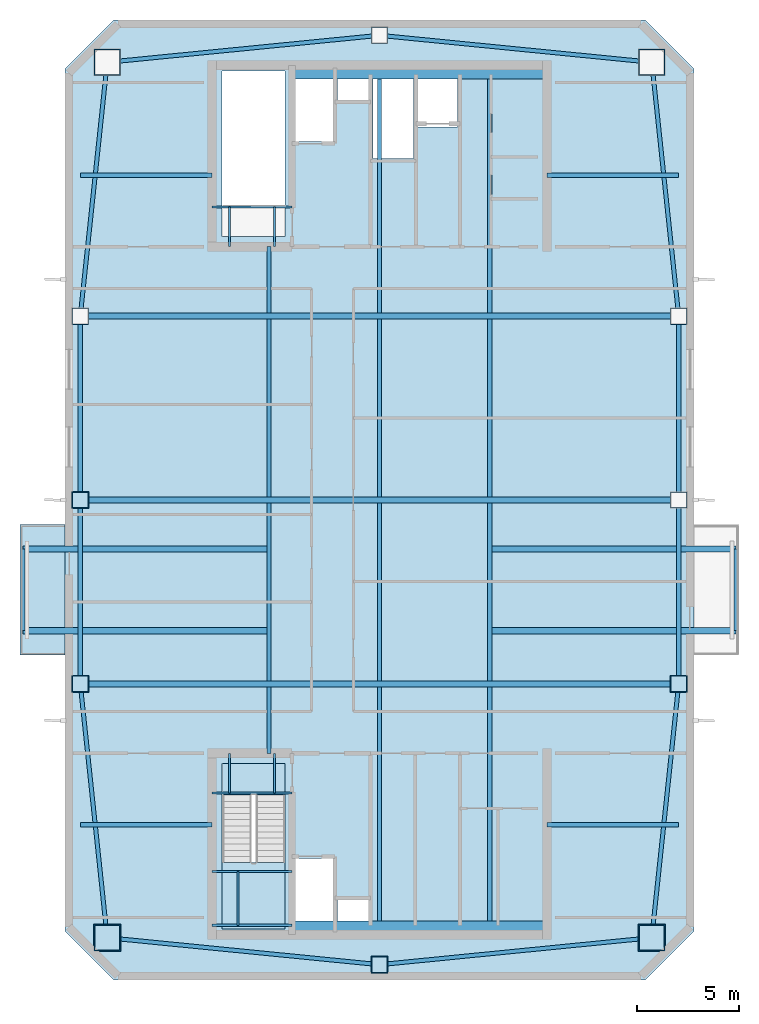
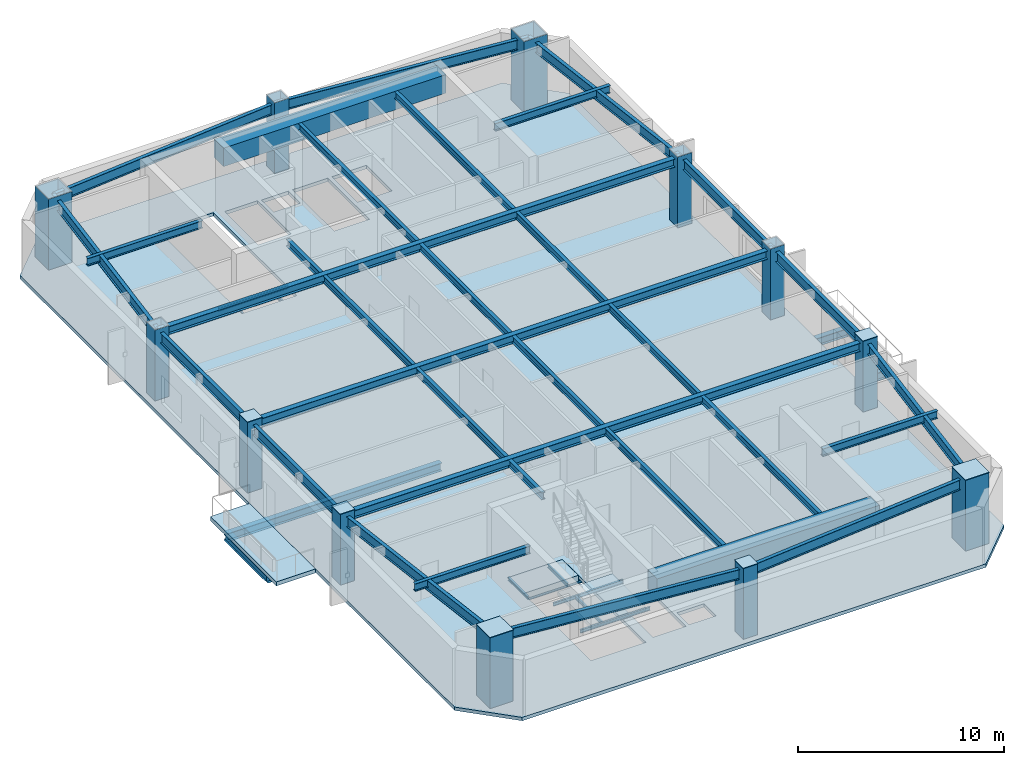
# One storey, part 1 of 6: 48 beams, 12 columns, 6 plates, 4 slabs, 1 element without a shape of its own.
"""IFC4 building model written with IfcOpenShell, lengths in metres."""

from ifc_helpers import new_model, si_unit, direction, frame, origin, origin_2d, place, context, subcontext, project, spatial, polyline, rectangle, hollow_rectangle, i_section, outline, extrude, material, layer, layer_set, material_profile, profile_set, type_object, element, aggregate, save


model = new_model("IFC4")

# Units and contexts
model_context = context("Model", 3, precision=1e-05, world=origin(), true_north=direction((0.0, 1.0)))
body_context = subcontext(model_context, "Body", "Model", "MODEL_VIEW")
ifc_project = project(units=[si_unit("LENGTHUNIT", "METRE"), si_unit("AREAUNIT", "SQUARE_METRE"), si_unit("VOLUMEUNIT", "CUBIC_METRE"), si_unit("PLANEANGLEUNIT", "RADIAN"), si_unit("MASSUNIT", "GRAM", prefix="KILO")], contexts=[model_context])

# Site, building, storey
site_placement = place(None, origin())
site = spatial("IfcSite", under=ifc_project, at=site_placement, CompositionType="ELEMENT")
building_placement = place(site_placement, origin())
building = spatial("IfcBuilding", under=site, at=building_placement, Name="Qiaolan Cultural Towers", CompositionType="ELEMENT")
storey_placement = place(building_placement, frame((0.0, 0.0, 276.0)))
storey = spatial("IfcBuildingStorey", under=building, at=storey_placement, Name="L76", CompositionType="ELEMENT", Elevation=276.0)

# Columns
ifc_material_1 = material(Name="Steel Q390GJB", Category="steel")
ifc_material_profile_1 = material_profile(ifc_material_1, hollow_rectangle(XDim=1.300048828125, YDim=1.300048828125, WallThickness=0.044921875, at=origin_2d()), Name="BOX1300x1300x45")
ifc_profile_set_1 = profile_set([ifc_material_profile_1], Name="Steel Q390GJB")
column_type_1 = type_object("IfcColumnType", Name="COL-BOX1300x1300x45", PredefinedType="COLUMN", material=ifc_profile_set_1)
for number, where, z_axis, x_axis, name in (
    (1, (16.669921875, 12.570068359375, 0.0), (0.0, 0.0, 1.0), (1.0, 0.0, 0.0), "L76 T1 Perimeter Column MC-SW"),
    (2, (43.330078125, 12.570068359375, 0.0), (0.0, 0.0, 1.0), (1.0, 0.0, 0.0), "L76 T1 Perimeter Column MC-SE"),
    (3, (43.330078125, 55.429931640625, 0.0), (0.0, 0.0, 1.0), (1.0, 0.0, 0.0), "L76 T1 Perimeter Column MC-NE"),
    (4, (16.669921875, 55.429931640625, 0.0), (0.0, 0.0, 1.0), (1.0, 0.0, 0.0), "L76 T1 Perimeter Column MC-NW"),
):
    element("IfcColumn", number, at=place(storey_placement, frame(where, z_axis=z_axis, x_axis=x_axis)), inside=storey, type_object=column_type_1, Name=name, PredefinedType="COLUMN", context=body_context, shape_type="SweptSolid", body=[
        extrude(hollow_rectangle(XDim=1.300048828125, YDim=1.300048828125, WallThickness=0.044921875, at=origin_2d()), origin(), (0.0, 0.0, 1.0), 4.200927734375),
    ])
ifc_material_2 = material(Name="Steel Q355B", Category="steel")
ifc_material_profile_2 = material_profile(ifc_material_2, hollow_rectangle(XDim=0.800048828125, YDim=0.800048828125, WallThickness=0.028076171875, at=origin_2d()), Name="BOX800x800x28")
ifc_profile_set_2 = profile_set([ifc_material_profile_2], Name="Steel Q355B")
column_type_2 = type_object("IfcColumnType", Name="COL-BOX800x800x28", PredefinedType="COLUMN", material=ifc_profile_set_2)
for number, where, z_axis, x_axis, name in (
    (5, (15.35009765625, 25.0, 0.0), (0.0, 0.0, 1.0), (1.0, 0.0, 0.0), "L76 T1 Perimeter Column PC-W1"),
    (6, (15.35009765625, 34.0, 0.0), (0.0, 0.0, 1.0), (1.0, 0.0, 0.0), "L76 T1 Perimeter Column PC-W2"),
    (7, (15.35009765625, 43.0, 0.0), (0.0, 0.0, 1.0), (1.0, 0.0, 0.0), "L76 T1 Perimeter Column PC-W3"),
    (8, (44.64990234375, 25.0, 0.0), (0.0, 0.0, 1.0), (1.0, 0.0, 0.0), "L76 T1 Perimeter Column PC-E1"),
    (9, (44.64990234375, 34.0, 0.0), (0.0, 0.0, 1.0), (1.0, 0.0, 0.0), "L76 T1 Perimeter Column PC-E2"),
    (10, (44.64990234375, 43.0, 0.0), (0.0, 0.0, 1.0), (1.0, 0.0, 0.0), "L76 T1 Perimeter Column PC-E3"),
    (11, (30.0, 11.25, 0.0), (0.0, 0.0, 1.0), (1.0, 0.0, 0.0), "L76 T1 Perimeter Column PC-S0"),
    (12, (30.0, 56.75, 0.0), (0.0, 0.0, 1.0), (1.0, 0.0, 0.0), "L76 T1 Perimeter Column PC-N0"),
):
    element("IfcColumn", number, at=place(storey_placement, frame(where, z_axis=z_axis, x_axis=x_axis)), inside=storey, type_object=column_type_2, Name=name, PredefinedType="COLUMN", context=body_context, shape_type="SweptSolid", body=[
        extrude(hollow_rectangle(XDim=0.800048828125, YDim=0.800048828125, WallThickness=0.028076171875, at=origin_2d()), origin(), (0.0, 0.0, 1.0), 4.200927734375),
    ])

# Beams
ifc_material_3 = material(Name="Steel Q355B", Category="steel")
ifc_material_profile_3 = material_profile(ifc_material_3, i_section(OverallWidth=0.300048828125, OverallDepth=0.488037109375, WebThickness=0.010986328125, FlangeThickness=0.01806640625, at=origin_2d()), Name="HM488x300x11x18")
ifc_profile_set_3 = profile_set([ifc_material_profile_3], Name="Steel Q355B")
beam_type_1 = type_object("IfcBeamType", Name="BM-HM488x300x11x18", PredefinedType="BEAM", material=ifc_profile_set_3)
for number, where, z_axis, x_axis, name in (
    (13, (24.60009765625, 27.60009765625, -0.52392578125), (-1.0, 0.0, 0.0), (0.0, -1.0, 0.0), "L76 T1 Tree Balcony Back-Spanned Bracket Beam"),
    (14, (24.60009765625, 31.60009765625, -0.52392578125), (-1.0, 0.0, 0.0), (0.0, -1.0, 0.0), "L76 T1 Tree Balcony Back-Spanned Bracket Beam"),
    (15, (35.39990234375, 27.60009765625, -0.52392578125), (1.0, 0.0, 0.0), (0.0, 1.0, 0.0), "L76 T1 Tree Balcony Back-Spanned Bracket Beam"),
    (16, (35.39990234375, 31.60009765625, -0.52392578125), (1.0, 0.0, 0.0), (0.0, 1.0, 0.0), "L76 T1 Tree Balcony Back-Spanned Bracket Beam"),
):
    element("IfcBeam", number, at=place(storey_placement, frame(where, z_axis=z_axis, x_axis=x_axis)), inside=storey, type_object=beam_type_1, Name=name, PredefinedType="BEAM", context=body_context, shape_type="SweptSolid", body=[
        extrude(i_section(OverallWidth=0.300048828125, OverallDepth=0.488037109375, WebThickness=0.010986328125, FlangeThickness=0.01806640625, at=origin_2d()), origin(), (0.0, 0.0, 1.0), 12.050048828125),
    ])
for number, where, z_axis, x_axis, name in (
    (17, (15.35009765625, 25.0, 3.696044921875), (1.0, 0.0, 0.0), (0.0, 1.0, 0.0), "L76 T1 Primary Transverse Girder V1"),
    (18, (15.35009765625, 34.0, 3.696044921875), (1.0, 0.0, 0.0), (0.0, 1.0, 0.0), "L76 T1 Primary Transverse Girder V2"),
    (19, (15.35009765625, 43.0, 3.696044921875), (1.0, 0.0, 0.0), (0.0, 1.0, 0.0), "L76 T1 Primary Transverse Girder V3"),
):
    element("IfcBeam", number, at=place(storey_placement, frame(where, z_axis=z_axis, x_axis=x_axis)), inside=storey, type_object=beam_type_1, Name=name, PredefinedType="BEAM", context=body_context, shape_type="SweptSolid", body=[
        extrude(i_section(OverallWidth=0.300048828125, OverallDepth=0.488037109375, WebThickness=0.010986328125, FlangeThickness=0.01806640625, at=origin_2d()), origin(), (0.0, 0.0, 1.0), 29.2998046875),
    ])
ifc_material_4 = material(Name="Steel Q355B", Category="steel")
ifc_material_profile_4 = material_profile(ifc_material_4, i_section(OverallWidth=0.175048828125, OverallDepth=0.35009765625, WebThickness=0.007080078125, FlangeThickness=0.010986328125, at=origin_2d()), Name="HN350x175x7x11")
ifc_profile_set_4 = profile_set([ifc_material_profile_4], Name="Steel Q355B")
beam_type_2 = type_object("IfcBeamType", Name="BM-JST-HN350x175x7x11", PredefinedType="JOIST", material=ifc_profile_set_4)
for number, where, z_axis, x_axis, name in (
    (20, (12.550048828125, 27.60009765625, -0.52392578125), (0.0, 1.0, 0.0), (-1.0, 0.0, 0.0), "L76 T1 Tree Balcony Outer Edge Beam"),
    (21, (47.449951171875, 27.60009765625, -0.52392578125), (0.0, 1.0, 0.0), (-1.0, 0.0, 0.0), "L76 T1 Tree Balcony Outer Edge Beam"),
):
    element("IfcBeam", number, at=place(storey_placement, frame(where, z_axis=z_axis, x_axis=x_axis)), inside=storey, type_object=beam_type_2, Name=name, PredefinedType="JOIST", context=body_context, shape_type="SweptSolid", body=[
        extrude(i_section(OverallWidth=0.175048828125, OverallDepth=0.35009765625, WebThickness=0.007080078125, FlangeThickness=0.010986328125, at=origin_2d()), origin(), (0.0, 0.0, 1.0), 4.0),
    ])
ifc_material_5 = material(Name="Steel Q355B", Category="steel")
ifc_material_profile_5 = material_profile(ifc_material_5, i_section(OverallWidth=0.199951171875, OverallDepth=0.39990234375, WebThickness=0.008056640625, FlangeThickness=0.012939453125, at=origin_2d()), Name="HN400x200x8x13")
ifc_profile_set_5 = profile_set([ifc_material_profile_5], Name="Steel Q355B")
beam_type_3 = type_object("IfcBeamType", Name="BM-JST-HN400x200x8x13", PredefinedType="JOIST", material=ifc_profile_set_5)
beam_1_placement = place(storey_placement, frame((24.60009765625, 21.60009765625, 3.739990234375), z_axis=(0.0, 1.0, 0.0), x_axis=(-1.0, 0.0, 0.0)))
element("IfcBeam", 22, at=beam_1_placement, inside=storey, type_object=beam_type_3, Name="L76 T1 Secondary Floor Joist U1-1", PredefinedType="JOIST", context=body_context, shape_type="SweptSolid", body=[
    extrude(i_section(OverallWidth=0.199951171875, OverallDepth=0.39990234375, WebThickness=0.008056640625, FlangeThickness=0.012939453125, at=origin_2d()), origin(), (0.0, 0.0, 1.0), 3.25),
])
for number, where, z_axis, x_axis, name in (
    (23, (24.60009765625, 25.14990234375, 3.739990234375), (0.0, 1.0, 0.0), (-1.0, 0.0, 0.0), "L76 T1 Secondary Floor Joist U1-2"),
    (24, (24.60009765625, 34.14990234375, 3.739990234375), (0.0, 1.0, 0.0), (-1.0, 0.0, 0.0), "L76 T1 Secondary Floor Joist U1-3"),
):
    element("IfcBeam", number, at=place(storey_placement, frame(where, z_axis=z_axis, x_axis=x_axis)), inside=storey, type_object=beam_type_3, Name=name, PredefinedType="JOIST", context=body_context, shape_type="SweptSolid", body=[
        extrude(i_section(OverallWidth=0.199951171875, OverallDepth=0.39990234375, WebThickness=0.008056640625, FlangeThickness=0.012939453125, at=origin_2d()), origin(), (0.0, 0.0, 1.0), 8.7001953125),
    ])
beam_2_placement = place(storey_placement, frame((24.60009765625, 43.14990234375, 3.739990234375), z_axis=(0.0, 1.0, 0.0), x_axis=(-1.0, 0.0, 0.0)))
element("IfcBeam", 25, at=beam_2_placement, inside=storey, type_object=beam_type_3, Name="L76 T1 Secondary Floor Joist U1-4", PredefinedType="JOIST", context=body_context, shape_type="SweptSolid", body=[
    extrude(i_section(OverallWidth=0.199951171875, OverallDepth=0.39990234375, WebThickness=0.008056640625, FlangeThickness=0.012939453125, at=origin_2d()), origin(), (0.0, 0.0, 1.0), 3.25),
])
beam_3_placement = place(storey_placement, frame((30.0, 13.39990234375, 3.739990234375), z_axis=(0.0, 1.0, 0.0), x_axis=(-1.0, 0.0, 0.0)))
element("IfcBeam", 26, at=beam_3_placement, inside=storey, type_object=beam_type_3, Name="L76 T1 Secondary Floor Joist U2-1", PredefinedType="JOIST", context=body_context, shape_type="SweptSolid", body=[
    extrude(i_section(OverallWidth=0.199951171875, OverallDepth=0.39990234375, WebThickness=0.008056640625, FlangeThickness=0.012939453125, at=origin_2d()), origin(), (0.0, 0.0, 1.0), 11.4501953125),
])
for number, where, z_axis, x_axis, name in (
    (27, (30.0, 25.14990234375, 3.739990234375), (0.0, 1.0, 0.0), (-1.0, 0.0, 0.0), "L76 T1 Secondary Floor Joist U2-2"),
    (28, (30.0, 34.14990234375, 3.739990234375), (0.0, 1.0, 0.0), (-1.0, 0.0, 0.0), "L76 T1 Secondary Floor Joist U2-3"),
):
    element("IfcBeam", number, at=place(storey_placement, frame(where, z_axis=z_axis, x_axis=x_axis)), inside=storey, type_object=beam_type_3, Name=name, PredefinedType="JOIST", context=body_context, shape_type="SweptSolid", body=[
        extrude(i_section(OverallWidth=0.199951171875, OverallDepth=0.39990234375, WebThickness=0.008056640625, FlangeThickness=0.012939453125, at=origin_2d()), origin(), (0.0, 0.0, 1.0), 8.7001953125),
    ])
for number, where, z_axis, x_axis, name in (
    (29, (30.0, 43.14990234375, 3.739990234375), (0.0, 1.0, 0.0), (-1.0, 0.0, 0.0), "L76 T1 Secondary Floor Joist U2-4"),
    (30, (35.39990234375, 13.39990234375, 3.739990234375), (0.0, 1.0, 0.0), (-1.0, 0.0, 0.0), "L76 T1 Secondary Floor Joist U3-1"),
):
    element("IfcBeam", number, at=place(storey_placement, frame(where, z_axis=z_axis, x_axis=x_axis)), inside=storey, type_object=beam_type_3, Name=name, PredefinedType="JOIST", context=body_context, shape_type="SweptSolid", body=[
        extrude(i_section(OverallWidth=0.199951171875, OverallDepth=0.39990234375, WebThickness=0.008056640625, FlangeThickness=0.012939453125, at=origin_2d()), origin(), (0.0, 0.0, 1.0), 11.4501953125),
    ])
for number, where, z_axis, x_axis, name in (
    (31, (35.39990234375, 25.14990234375, 3.739990234375), (0.0, 1.0, 0.0), (-1.0, 0.0, 0.0), "L76 T1 Secondary Floor Joist U3-2"),
    (32, (35.39990234375, 34.14990234375, 3.739990234375), (0.0, 1.0, 0.0), (-1.0, 0.0, 0.0), "L76 T1 Secondary Floor Joist U3-3"),
):
    element("IfcBeam", number, at=place(storey_placement, frame(where, z_axis=z_axis, x_axis=x_axis)), inside=storey, type_object=beam_type_3, Name=name, PredefinedType="JOIST", context=body_context, shape_type="SweptSolid", body=[
        extrude(i_section(OverallWidth=0.199951171875, OverallDepth=0.39990234375, WebThickness=0.008056640625, FlangeThickness=0.012939453125, at=origin_2d()), origin(), (0.0, 0.0, 1.0), 8.7001953125),
    ])
beam_4_placement = place(storey_placement, frame((35.39990234375, 43.14990234375, 3.739990234375), z_axis=(0.0, 1.0, 0.0), x_axis=(-1.0, 0.0, 0.0)))
element("IfcBeam", 33, at=beam_4_placement, inside=storey, type_object=beam_type_3, Name="L76 T1 Secondary Floor Joist U3-4", PredefinedType="JOIST", context=body_context, shape_type="SweptSolid", body=[
    extrude(i_section(OverallWidth=0.199951171875, OverallDepth=0.39990234375, WebThickness=0.008056640625, FlangeThickness=0.012939453125, at=origin_2d()), origin(), (0.0, 0.0, 1.0), 11.4501953125),
])
ifc_material_6 = material(Name="Steel Q355B", Category="steel")
ifc_material_profile_6 = material_profile(ifc_material_6, i_section(OverallWidth=0.199951171875, OverallDepth=0.449951171875, WebThickness=0.009033203125, FlangeThickness=0.013916015625, at=origin_2d()), Name="HN450x200x9x14")
ifc_profile_set_6 = profile_set([ifc_material_profile_6], Name="Steel Q355B")
beam_type_4 = type_object("IfcBeamType", Name="BM-LNT-HN450x200x9x14", PredefinedType="LINTEL", material=ifc_profile_set_6)
for number, where, z_axis, x_axis, name in (
    (34, (21.800048828125, 18.10009765625, 3.715087890625), (-1.0, 0.0, 0.0), (0.0, -1.0, 0.0), "L76 T1 Core Flank Tie Lintel WS"),
    (35, (21.800048828125, 49.89990234375, 3.715087890625), (-1.0, 0.0, 0.0), (0.0, -1.0, 0.0), "L76 T1 Core Flank Tie Lintel WN"),
    (36, (38.199951171875, 18.10009765625, 3.715087890625), (1.0, 0.0, 0.0), (0.0, 1.0, 0.0), "L76 T1 Core Flank Tie Lintel ES"),
    (37, (38.199951171875, 49.89990234375, 3.715087890625), (1.0, 0.0, 0.0), (0.0, 1.0, 0.0), "L76 T1 Core Flank Tie Lintel EN"),
):
    element("IfcBeam", number, at=place(storey_placement, frame(where, z_axis=z_axis, x_axis=x_axis)), inside=storey, type_object=beam_type_4, Name=name, PredefinedType="LINTEL", context=body_context, shape_type="SweptSolid", body=[
        extrude(i_section(OverallWidth=0.199951171875, OverallDepth=0.449951171875, WebThickness=0.009033203125, FlangeThickness=0.013916015625, at=origin_2d()), origin(), (0.0, 0.0, 1.0), 6.449951171875),
    ])
ifc_material_7 = material(Name="Concrete C50", Category="concrete")
ifc_material_profile_7 = material_profile(ifc_material_7, rectangle(XDim=0.89990234375, YDim=1.10009765625, at=origin_2d()), Name="RC900x1100")
ifc_profile_set_7 = profile_set([ifc_material_profile_7], Name="Concrete C50")
beam_type_5 = type_object("IfcBeamType", Name="BM-RC900x1100", PredefinedType="BEAM", material=ifc_profile_set_7)
for number, where, z_axis, x_axis, name in (
    (38, (25.719970703125, 12.949951171875, 3.389892578125), (1.0, 0.0, 0.0), (0.0, 1.0, 0.0), "L76 T1 Core Header Girder S"),
    (39, (25.719970703125, 55.050048828125, 3.389892578125), (1.0, 0.0, 0.0), (0.0, 1.0, 0.0), "L76 T1 Core Header Girder N"),
):
    element("IfcBeam", number, at=place(storey_placement, frame(where, z_axis=z_axis, x_axis=x_axis)), inside=storey, type_object=beam_type_5, Name=name, PredefinedType="BEAM", context=body_context, shape_type="SweptSolid", body=[
        extrude(rectangle(XDim=0.89990234375, YDim=1.10009765625, at=origin_2d()), origin(), (0.0, 0.0, 1.0), 12.47998046875),
    ])
ifc_material_8 = material(Name="Steel Q355B", Category="steel")
ifc_material_profile_8 = material_profile(ifc_material_8, i_section(OverallWidth=0.199951171875, OverallDepth=0.60009765625, WebThickness=0.010986328125, FlangeThickness=0.01708984375, at=origin_2d()), Name="HN600x200x11x17")
ifc_profile_set_8 = profile_set([ifc_material_profile_8], Name="Steel Q355B")
beam_type_6 = type_object("IfcBeamType", Name="BM-SPD-HN600x200x11x17", PredefinedType="SPANDREL", material=ifc_profile_set_8)
for number, where, z_axis, x_axis, name in (
    (40, (16.669921875, 12.570068359375, 3.639892578125), (0.995132371263, -0.098547266143, 0.0), (0.098547266143, 0.995132371263, 0.0), "L76 T1 Perimeter Spandrel Beam 1"),
    (41, (30.0, 11.25, 3.639892578125), (0.995132371263, 0.098547266143, 0.0), (-0.098547266143, 0.995132371263, 0.0), "L76 T1 Perimeter Spandrel Beam 2"),
):
    element("IfcBeam", number, at=place(storey_placement, frame(where, z_axis=z_axis, x_axis=x_axis)), inside=storey, type_object=beam_type_6, Name=name, PredefinedType="SPANDREL", context=body_context, shape_type="SweptSolid", body=[
        extrude(i_section(OverallWidth=0.199951171875, OverallDepth=0.60009765625, WebThickness=0.010986328125, FlangeThickness=0.01708984375, at=origin_2d()), origin(), (0.0, 0.0, 1.0), 13.395263671875),
    ])
beam_5_placement = place(storey_placement, frame((43.330078125, 12.570068359375, 3.639892578125), z_axis=(0.105587580773, 0.994410007384, 0.0), x_axis=(-0.994410007384, 0.105587580773, 0.0)))
element("IfcBeam", 42, at=beam_5_placement, inside=storey, type_object=beam_type_6, Name="L76 T1 Perimeter Spandrel Beam 3", PredefinedType="SPANDREL", context=body_context, shape_type="SweptSolid", body=[
    extrude(i_section(OverallWidth=0.199951171875, OverallDepth=0.60009765625, WebThickness=0.010986328125, FlangeThickness=0.01708984375, at=origin_2d()), origin(), (0.0, 0.0, 1.0), 12.499755859375),
])
for number, where, z_axis, x_axis, name in (
    (43, (44.64990234375, 25.0, 3.639892578125), (0.0, 1.0, 0.0), (-1.0, 0.0, 0.0), "L76 T1 Perimeter Spandrel Beam 4"),
    (44, (44.64990234375, 34.0, 3.639892578125), (0.0, 1.0, 0.0), (-1.0, 0.0, 0.0), "L76 T1 Perimeter Spandrel Beam 5"),
):
    element("IfcBeam", number, at=place(storey_placement, frame(where, z_axis=z_axis, x_axis=x_axis)), inside=storey, type_object=beam_type_6, Name=name, PredefinedType="SPANDREL", context=body_context, shape_type="SweptSolid", body=[
        extrude(i_section(OverallWidth=0.199951171875, OverallDepth=0.60009765625, WebThickness=0.010986328125, FlangeThickness=0.01708984375, at=origin_2d()), origin(), (0.0, 0.0, 1.0), 9.0),
    ])
beam_6_placement = place(storey_placement, frame((44.64990234375, 43.0, 3.639892578125), z_axis=(-0.105587580773, 0.994410007384, 0.0), x_axis=(-0.994410007384, -0.105587580773, 0.0)))
element("IfcBeam", 45, at=beam_6_placement, inside=storey, type_object=beam_type_6, Name="L76 T1 Perimeter Spandrel Beam 6", PredefinedType="SPANDREL", context=body_context, shape_type="SweptSolid", body=[
    extrude(i_section(OverallWidth=0.199951171875, OverallDepth=0.60009765625, WebThickness=0.010986328125, FlangeThickness=0.01708984375, at=origin_2d()), origin(), (0.0, 0.0, 1.0), 12.499755859375),
])
for number, where, z_axis, x_axis, name in (
    (46, (43.330078125, 55.429931640625, 3.639892578125), (-0.995132371263, 0.098547266143, 0.0), (-0.098547266143, -0.995132371263, 0.0), "L76 T1 Perimeter Spandrel Beam 7"),
    (47, (30.0, 56.75, 3.639892578125), (-0.995132371263, -0.098547266143, 0.0), (0.098547266143, -0.995132371263, 0.0), "L76 T1 Perimeter Spandrel Beam 8"),
):
    element("IfcBeam", number, at=place(storey_placement, frame(where, z_axis=z_axis, x_axis=x_axis)), inside=storey, type_object=beam_type_6, Name=name, PredefinedType="SPANDREL", context=body_context, shape_type="SweptSolid", body=[
        extrude(i_section(OverallWidth=0.199951171875, OverallDepth=0.60009765625, WebThickness=0.010986328125, FlangeThickness=0.01708984375, at=origin_2d()), origin(), (0.0, 0.0, 1.0), 13.395263671875),
    ])
beam_7_placement = place(storey_placement, frame((16.669921875, 55.429931640625, 3.639892578125), z_axis=(-0.105587580773, -0.994410007384, 0.0), x_axis=(0.994410007384, -0.105587580773, 0.0)))
element("IfcBeam", 48, at=beam_7_placement, inside=storey, type_object=beam_type_6, Name="L76 T1 Perimeter Spandrel Beam 9", PredefinedType="SPANDREL", context=body_context, shape_type="SweptSolid", body=[
    extrude(i_section(OverallWidth=0.199951171875, OverallDepth=0.60009765625, WebThickness=0.010986328125, FlangeThickness=0.01708984375, at=origin_2d()), origin(), (0.0, 0.0, 1.0), 12.499755859375),
])
for number, where, z_axis, x_axis, name in (
    (49, (15.35009765625, 43.0, 3.639892578125), (0.0, -1.0, 0.0), (1.0, 0.0, 0.0), "L76 T1 Perimeter Spandrel Beam 10"),
    (50, (15.35009765625, 34.0, 3.639892578125), (0.0, -1.0, 0.0), (1.0, 0.0, 0.0), "L76 T1 Perimeter Spandrel Beam 11"),
):
    element("IfcBeam", number, at=place(storey_placement, frame(where, z_axis=z_axis, x_axis=x_axis)), inside=storey, type_object=beam_type_6, Name=name, PredefinedType="SPANDREL", context=body_context, shape_type="SweptSolid", body=[
        extrude(i_section(OverallWidth=0.199951171875, OverallDepth=0.60009765625, WebThickness=0.010986328125, FlangeThickness=0.01708984375, at=origin_2d()), origin(), (0.0, 0.0, 1.0), 9.0),
    ])
beam_8_placement = place(storey_placement, frame((15.35009765625, 25.0, 3.639892578125), z_axis=(0.105587580773, -0.994410007384, 0.0), x_axis=(0.994410007384, 0.105587580773, 0.0)))
element("IfcBeam", 51, at=beam_8_placement, inside=storey, type_object=beam_type_6, Name="L76 T1 Perimeter Spandrel Beam 12", PredefinedType="SPANDREL", context=body_context, shape_type="SweptSolid", body=[
    extrude(i_section(OverallWidth=0.199951171875, OverallDepth=0.60009765625, WebThickness=0.010986328125, FlangeThickness=0.01708984375, at=origin_2d()), origin(), (0.0, 0.0, 1.0), 12.499755859375),
])
ifc_material_9 = material(Name="Steel Q355B", Category="steel")
ifc_material_profile_9 = material_profile(ifc_material_9, i_section(OverallWidth=0.10009765625, OverallDepth=0.199951171875, WebThickness=0.005615234375, FlangeThickness=0.008056640625, at=origin_2d()), Name="HN200x100x5.5x8")
ifc_profile_set_9 = profile_set([ifc_material_profile_9], Name="Steel Q355B")
beam_type_7 = type_object("IfcBeamType", Name="BM-STTRIM-200", PredefinedType="BEAM", material=ifc_profile_set_9)
beam_9_placement = place(storey_placement, frame((21.800048828125, 19.659912109375, -0.4599609375), z_axis=(1.0, 0.0, 0.0), x_axis=(0.0, 1.0, 0.0)))
element("IfcBeam", 52, at=beam_9_placement, inside=storey, type_object=beam_type_7, Name="L76 ST-W1 Floor Landing Header Beam", PredefinedType="BEAM", context=body_context, shape_type="SweptSolid", body=[
    extrude(i_section(OverallWidth=0.10009765625, OverallDepth=0.199951171875, WebThickness=0.005615234375, FlangeThickness=0.008056640625, at=origin_2d()), origin(), (0.0, 0.0, 1.0), 3.919921875),
])
for number, where, z_axis, x_axis, name in (
    (53, (22.64990234375, 21.60009765625, -0.4599609375), (0.0, -1.0, 0.0), (1.0, 0.0, 0.0), "L76 ST-W1 Floor Landing Stringer 1"),
    (54, (24.85009765625, 21.60009765625, -0.4599609375), (0.0, -1.0, 0.0), (1.0, 0.0, 0.0), "L76 ST-W1 Floor Landing Stringer 2"),
):
    element("IfcBeam", number, at=place(storey_placement, frame(where, z_axis=z_axis, x_axis=x_axis)), inside=storey, type_object=beam_type_7, Name=name, PredefinedType="BEAM", context=body_context, shape_type="SweptSolid", body=[
        extrude(i_section(OverallWidth=0.10009765625, OverallDepth=0.199951171875, WebThickness=0.005615234375, FlangeThickness=0.008056640625, at=origin_2d()), origin(), (0.0, 0.0, 1.0), 1.940185546875),
    ])
for number, where, z_axis, x_axis, name in (
    (55, (21.800048828125, 15.811279296875, 1.800048828125), (1.0, 0.0, 0.0), (0.0, 1.0, 0.0), "L76 ST-W1 Stair Landing Support Beam 1-1"),
    (56, (21.800048828125, 13.179931640625, 1.800048828125), (1.0, 0.0, 0.0), (0.0, 1.0, 0.0), "L76 ST-W1 Stair Landing Support Beam 1-2"),
):
    element("IfcBeam", number, at=place(storey_placement, frame(where, z_axis=z_axis, x_axis=x_axis)), inside=storey, type_object=beam_type_7, Name=name, PredefinedType="BEAM", context=body_context, shape_type="SweptSolid", body=[
        extrude(i_section(OverallWidth=0.10009765625, OverallDepth=0.199951171875, WebThickness=0.005615234375, FlangeThickness=0.008056640625, at=origin_2d()), origin(), (0.0, 0.0, 1.0), 3.919921875),
    ])
beam_10_placement = place(storey_placement, frame((23.070068359375, 15.811279296875, 1.800048828125), z_axis=(0.0, -1.0, 0.0), x_axis=(1.0, 0.0, 0.0)))
element("IfcBeam", 57, at=beam_10_placement, inside=storey, type_object=beam_type_7, Name="L76 ST-W1 Stair Landing Trimmer 1", PredefinedType="BEAM", context=body_context, shape_type="SweptSolid", body=[
    extrude(i_section(OverallWidth=0.10009765625, OverallDepth=0.199951171875, WebThickness=0.005615234375, FlangeThickness=0.008056640625, at=origin_2d()), origin(), (0.0, 0.0, 1.0), 2.63134765625),
])
beam_11_placement = place(storey_placement, frame((21.800048828125, 48.340087890625, -0.4599609375), z_axis=(1.0, 0.0, 0.0), x_axis=(0.0, 1.0, 0.0)))
element("IfcBeam", 58, at=beam_11_placement, inside=storey, type_object=beam_type_7, Name="L76 ST-W2 Floor Landing Header Beam", PredefinedType="BEAM", context=body_context, shape_type="SweptSolid", body=[
    extrude(i_section(OverallWidth=0.10009765625, OverallDepth=0.199951171875, WebThickness=0.005615234375, FlangeThickness=0.008056640625, at=origin_2d()), origin(), (0.0, 0.0, 1.0), 3.919921875),
])
for number, where, z_axis, x_axis, name in (
    (59, (22.64990234375, 46.39990234375, -0.4599609375), (0.0, 1.0, 0.0), (-1.0, 0.0, 0.0), "L76 ST-W2 Floor Landing Stringer 1"),
    (60, (24.85009765625, 46.39990234375, -0.4599609375), (0.0, 1.0, 0.0), (-1.0, 0.0, 0.0), "L76 ST-W2 Floor Landing Stringer 2"),
):
    element("IfcBeam", number, at=place(storey_placement, frame(where, z_axis=z_axis, x_axis=x_axis)), inside=storey, type_object=beam_type_7, Name=name, PredefinedType="BEAM", context=body_context, shape_type="SweptSolid", body=[
        extrude(i_section(OverallWidth=0.10009765625, OverallDepth=0.199951171875, WebThickness=0.005615234375, FlangeThickness=0.008056640625, at=origin_2d()), origin(), (0.0, 0.0, 1.0), 1.940185546875),
    ])

# Plates
ifc_material_10 = material(Name="Steel Q355B", Category="steel")
ifc_layer_1 = layer(ifc_material_10, 0.030029296875)
ifc_layer_set_1 = layer_set([ifc_layer_1], Name="Steel Q355B")
plate_type = type_object("IfcPlateType", Name="PL-ENDCAP-30", PredefinedType="USERDEFINED", material=ifc_layer_set_1)
for number, where, z_axis, x_axis, name in (
    (61, (16.669921875, 12.570068359375, 4.201171875), (0.0, 0.0, 1.0), (1.0, 0.0, 0.0), "Tower Box Column Transition Seal Cap Plate CP-01"),
    (62, (43.330078125, 12.570068359375, 4.201171875), (0.0, 0.0, 1.0), (1.0, 0.0, 0.0), "Tower Box Column Transition Seal Cap Plate CP-01"),
):
    element("IfcPlate", number, at=place(storey_placement, frame(where, z_axis=z_axis, x_axis=x_axis)), inside=storey, type_object=plate_type, Name=name, ObjectType="BASE_PLATE", PredefinedType="USERDEFINED", context=body_context, shape_type="SweptSolid", body=[
        extrude(rectangle(XDim=1.340087890625, YDim=1.340087890625, at=origin_2d()), origin(), (0.0, 0.0, 1.0), 0.030029296875),
    ])
for number, where, z_axis, x_axis, name in (
    (63, (15.35009765625, 25.0, 4.201171875), (0.0, 0.0, 1.0), (1.0, 0.0, 0.0), "Tower Box Column Transition Seal Cap Plate CP-01"),
    (64, (15.35009765625, 34.0, 4.201171875), (0.0, 0.0, 1.0), (1.0, 0.0, 0.0), "Tower Box Column Transition Seal Cap Plate CP-01"),
    (65, (44.64990234375, 25.0, 4.201171875), (0.0, 0.0, 1.0), (1.0, 0.0, 0.0), "Tower Box Column Transition Seal Cap Plate CP-01"),
    (66, (30.0, 11.25, 4.201171875), (0.0, 0.0, 1.0), (1.0, 0.0, 0.0), "Tower Box Column Transition Seal Cap Plate CP-01"),
):
    element("IfcPlate", number, at=place(storey_placement, frame(where, z_axis=z_axis, x_axis=x_axis)), inside=storey, type_object=plate_type, Name=name, ObjectType="BASE_PLATE", PredefinedType="USERDEFINED", context=body_context, shape_type="SweptSolid", body=[
        extrude(rectangle(XDim=0.840087890625, YDim=0.840087890625, at=origin_2d()), origin(), (0.0, 0.0, 1.0), 0.030029296875),
    ])

# Slabs
ifc_material_11 = material(Name="Concrete C45", Category="concrete")
ifc_layer_2 = layer(ifc_material_11, 0.239990234375)
ifc_layer_set_2 = layer_set([ifc_layer_2], Name="Concrete C45")
slab_type_1 = type_object("IfcSlabType", Name="SL-BAL-240", PredefinedType="FLOOR", material=ifc_layer_set_2)
slab_1_placement = place(storey_placement, frame((0.0, 0.0, -0.239990234375)))
element("IfcSlab", 67, at=slab_1_placement, inside=storey, type_object=slab_type_1, Name="L76 T1 Planted Tree Balcony W", PredefinedType="FLOOR", context=body_context, shape_type="SweptSolid", body=[
    extrude(outline(polyline([(12.39990234375, 26.39990234375), (14.60009765625, 26.39990234375), (14.60009765625, 32.800048828125), (12.39990234375, 32.800048828125), (12.39990234375, 26.39990234375)])), origin(), (0.0, 0.0, 1.0), 0.239990234375),
])
ifc_material_12 = material(Name="Concrete C45", Category="concrete")
ifc_layer_3 = layer(ifc_material_12, 0.199951171875)
ifc_layer_set_3 = layer_set([ifc_layer_3], Name="Concrete C45")
slab_type_2 = type_object("IfcSlabType", Name="SL-HI-200", PredefinedType="FLOOR", material=ifc_layer_set_3)
slab_2_placement = place(storey_placement, frame((0.0, 0.0, -0.199951171875)))
element("IfcSlab", 68, at=slab_2_placement, inside=storey, type_object=slab_type_2, Name="L76 West Tower Floor Slab", PredefinedType="FLOOR", context=body_context, shape_type="SweptSolid", body=[
    extrude(outline(polyline([(17.0, 10.5), (43.0, 10.5), (45.39990234375, 12.89990234375), (45.39990234375, 55.10009765625), (43.0, 57.5), (17.0, 57.5), (14.60009765625, 55.10009765625), (14.60009765625, 12.89990234375), (17.0, 10.5)]), holes=[polyline([(22.300048828125, 21.10009765625), (22.300048828125, 13.0), (25.3798828125, 13.0), (25.3798828125, 21.10009765625), (22.300048828125, 21.10009765625)]), polyline([(25.3798828125, 46.89990234375), (25.3798828125, 55.0), (22.300048828125, 55.0), (22.300048828125, 46.89990234375), (25.3798828125, 46.89990234375)]), polyline([(25.89990234375, 13.199951171875), (27.75, 13.199951171875), (27.75, 16.449951171875), (25.89990234375, 16.449951171875), (25.89990234375, 13.199951171875)]), polyline([(27.93994140625, 13.25), (29.449951171875, 13.25), (29.449951171875, 14.419921875), (27.93994140625, 14.419921875), (27.93994140625, 13.25)]), polyline([(25.89990234375, 51.550048828125), (27.75, 51.550048828125), (27.75, 54.800048828125), (25.89990234375, 54.800048828125), (25.89990234375, 51.550048828125)]), polyline([(27.93994140625, 53.580078125), (29.449951171875, 53.580078125), (29.449951171875, 54.75), (27.93994140625, 54.75), (27.93994140625, 53.580078125)]), polyline([(31.8798828125, 52.27001953125), (33.820068359375, 52.27001953125), (33.820068359375, 54.75), (31.8798828125, 54.75), (31.8798828125, 52.27001953125)]), polyline([(29.679931640625, 50.719970703125), (31.659912109375, 50.719970703125), (31.659912109375, 54.75), (29.679931640625, 54.75), (29.679931640625, 50.719970703125)])]), origin(), (0.0, 0.0, 1.0), 0.199951171875),
])

# Stair, slab
ifc_material_13 = material(Name="Concrete C45", Category="concrete")
stair_type = type_object("IfcStairType", Name="STR-CORE-1500", PredefinedType="HALF_TURN_STAIR", material=ifc_material_13)
stair_placement = place(storey_placement, origin())
stair = element("IfcStair", 69, at=stair_placement, inside=storey, type_object=stair_type, Name="L76 Smokeproof Exit Stair ST-W1", PredefinedType="HALF_TURN_STAIR")
ifc_material_14 = material(Name="Concrete C45", Category="concrete")
ifc_layer_4 = layer(ifc_material_14, 0.199951171875)
ifc_layer_set_4 = layer_set([ifc_layer_4], Name="Concrete C45")
slab_type_3 = type_object("IfcSlabType", Name="SL-STAIR-LAND", PredefinedType="LANDING", material=ifc_layer_set_4)
slab_3_placement = place(storey_placement, frame((0.0, 0.0, 1.89990234375)))
slab_3 = element("IfcSlab", 70, at=slab_3_placement, type_object=slab_type_3, Name="ST-W1 landing 1", PredefinedType="LANDING", context=body_context, shape_type="SweptSolid", body=[
    extrude(outline(polyline([(22.300048828125, 16.251220703125), (22.300048828125, 13.0), (25.3798828125, 13.0), (25.3798828125, 16.251220703125), (22.300048828125, 16.251220703125)])), origin(), (0.0, 0.0, 1.0), 0.2001953125),
])
aggregate(stair, [slab_3])

# Slab
ifc_material_15 = material(Name="Concrete C40", Category="concrete")
ifc_layer_5 = layer(ifc_material_15, 0.360107421875)
ifc_layer_set_5 = layer_set([ifc_layer_5], Name="Concrete C40")
slab_type_4 = type_object("IfcSlabType", Name="SL-STFLR-360", PredefinedType="LANDING", material=ifc_layer_set_5)
slab_4_placement = place(storey_placement, frame((0.0, 0.0, -0.360107421875)))
element("IfcSlab", 71, at=slab_4_placement, inside=storey, type_object=slab_type_4, Name="L76 ST-W1 Stair Floor Landing Slab", PredefinedType="LANDING", context=body_context, shape_type="SweptSolid", body=[
    extrude(outline(polyline([(22.302001953125, 21.097900390625), (22.302001953125, 19.548583984375), (25.3779296875, 19.548583984375), (25.3779296875, 21.097900390625), (22.302001953125, 21.097900390625)])), origin(), (0.0, 0.0, 1.0), 0.360107421875),
])

save(model, "model.ifc")
